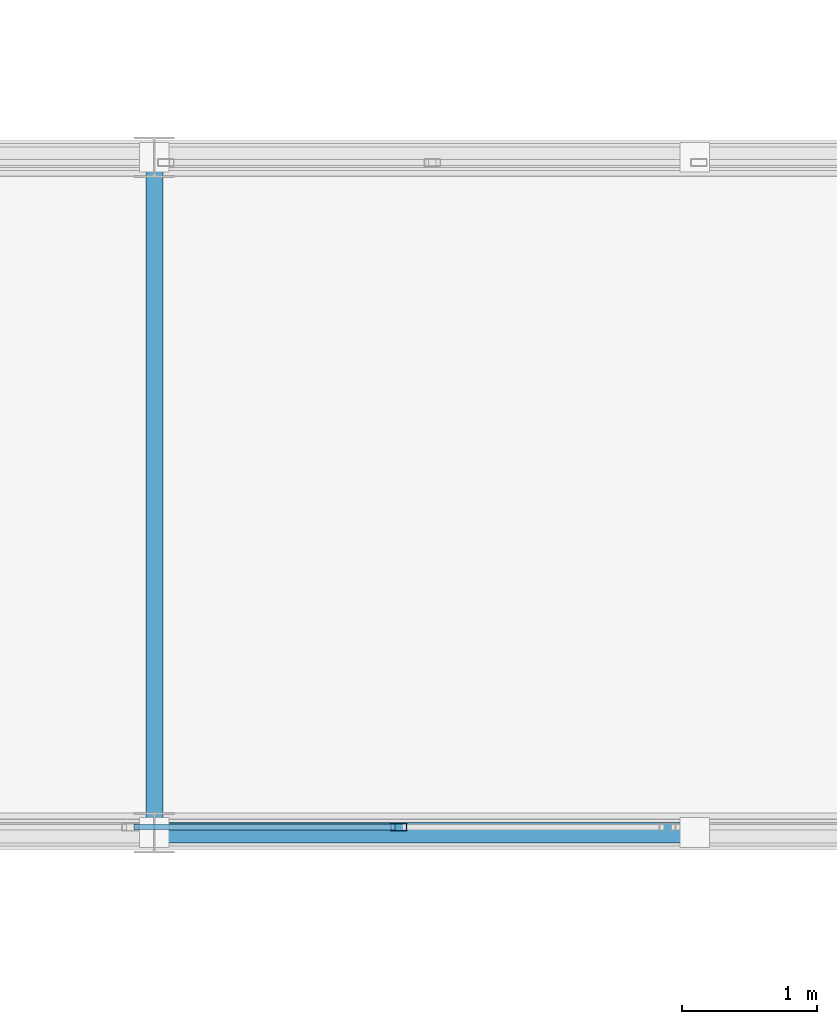
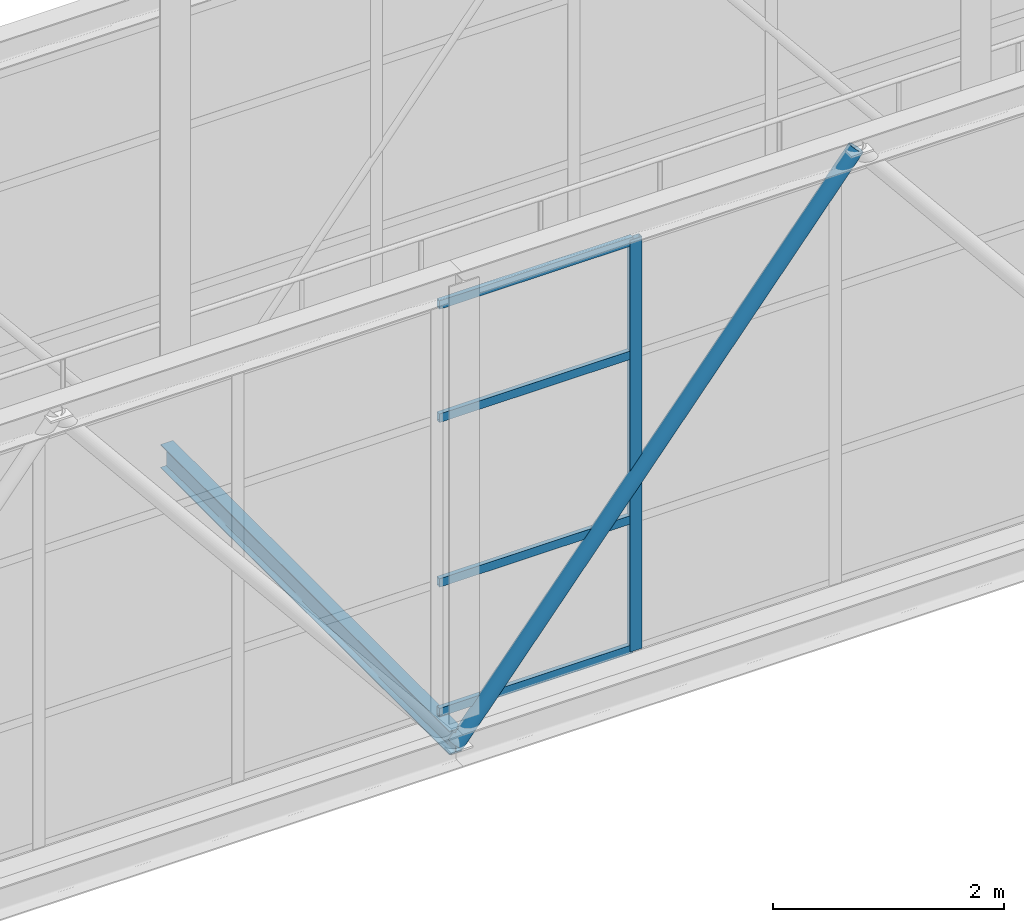
# One storey, part 156 of 248: 7 members, 1 element without a shape of its own.
"""IFC4 building model written with IfcOpenShell, lengths in metres."""

from ifc_helpers import new_model, si_unit, direction, frame, origin, origin_2d, place, context, subcontext, project, spatial, hollow_rectangle, hollow_circle, i_section, extrude, material, layer, layer_set, material_profile, profile_set, type_object, element, aggregate, save


model = new_model("IFC4")

# Units and contexts
model_context = context("Model", 3, precision=1e-05, world=origin(), true_north=direction((0.0, 1.0)))
body_context = subcontext(model_context, "Body", "Model", "MODEL_VIEW")
ifc_project = project(units=[si_unit("LENGTHUNIT", "METRE"), si_unit("AREAUNIT", "SQUARE_METRE"), si_unit("VOLUMEUNIT", "CUBIC_METRE"), si_unit("PLANEANGLEUNIT", "RADIAN"), si_unit("MASSUNIT", "GRAM", prefix="KILO")], contexts=[model_context])

# Site, building, storey
site_placement = place(None, origin())
site = spatial("IfcSite", under=ifc_project, at=site_placement, CompositionType="ELEMENT")
building_placement = place(site_placement, origin())
building = spatial("IfcBuilding", under=site, at=building_placement, Name="Canggui Botanical Conservatory", CompositionType="ELEMENT")
storey_placement = place(building_placement, frame((0.0, 0.0, 5.39990234375)))
storey = spatial("IfcBuildingStorey", under=building, at=storey_placement, Name="L02", CompositionType="ELEMENT", Elevation=5.39990234375)

# Curtain wall, members
ifc_material_1 = material(Name="Thermally Broken Aluminium", Category="aluminium")
ifc_layer = layer(ifc_material_1, 0.1201171875, Name="Thermally Broken Aluminium", Category="aluminium")
ifc_layer_set = layer_set([ifc_layer], Name="Thermally Broken Aluminium")
curtain_wall_type = type_object("IfcCurtainWallType", Name="CW-STICK-B", PredefinedType="USERDEFINED", material=ifc_layer_set)
curtain_wall_placement = place(storey_placement, origin())
curtain_wall = element("IfcCurtainWall", 1, at=curtain_wall_placement, inside=storey, type_object=curtain_wall_type, Name="Facade Curtain Wall CW-SB-04-1", ObjectType="STICK GLAZED WALL", PredefinedType="USERDEFINED")
ifc_material_profile_1 = material_profile(ifc_material_1, hollow_rectangle(XDim=0.054931640625, YDim=0.1201171875, WallThickness=0.0029296875, at=origin_2d()), Name="CWM 55x120x3")
ifc_profile_set_1 = profile_set([ifc_material_profile_1], Name="Thermally Broken Aluminium")
member_type_1 = type_object("IfcMemberType", Name="CWM-05", PredefinedType="MULLION", material=ifc_profile_set_1)
member_1_placement = place(storey_placement, frame((99.3095703125, 75.0400390625, 0.0), z_axis=(0.0, 0.0, 1.0), x_axis=(0.0, 1.0, 0.0)))
member_1 = element("IfcMember", 2, at=member_1_placement, type_object=member_type_1, Name="CW-05 mullion 17", PredefinedType="MULLION", context=body_context, shape_type="SweptSolid", body=[
    extrude(hollow_rectangle(XDim=0.054931640625, YDim=0.1201171875, WallThickness=0.0029296875, at=origin_2d()), origin(), (0.0, 0.0, 1.0), 4.35009765625),
])
ifc_material_profile_2 = material_profile(ifc_material_1, hollow_rectangle(XDim=0.044921875, YDim=0.090087890625, WallThickness=0.0029296875, at=origin_2d()), Name="CWT 45x90x3")
ifc_profile_set_2 = profile_set([ifc_material_profile_2], Name="Thermally Broken Aluminium")
member_type_2 = type_object("IfcMemberType", Name="CWT-05", PredefinedType="USERDEFINED", material=ifc_profile_set_2)
member_2_placement = place(storey_placement, frame((97.347900390625, 75.0400390625, 0.022705078125), z_axis=(1.0, 0.0, 0.0), x_axis=(0.0, 1.0, 0.0)))
member_2 = element("IfcMember", 3, at=member_2_placement, type_object=member_type_2, Name="CW-05 transom 16.1", ObjectType="TRANSOM", PredefinedType="USERDEFINED", context=body_context, shape_type="SweptSolid", body=[
    extrude(hollow_rectangle(XDim=0.044921875, YDim=0.090087890625, WallThickness=0.0029296875, at=origin_2d()), origin(), (0.0, 0.0, 1.0), 1.934326171875),
])
member_3_placement = place(storey_placement, frame((97.347900390625, 75.0400390625, 1.39208984375), z_axis=(1.0, 0.0, 0.0), x_axis=(0.0, 1.0, 0.0)))
member_3 = element("IfcMember", 4, at=member_3_placement, type_object=member_type_2, Name="CW-05 transom 16.2", ObjectType="TRANSOM", PredefinedType="USERDEFINED", context=body_context, shape_type="SweptSolid", body=[
    extrude(hollow_rectangle(XDim=0.044921875, YDim=0.090087890625, WallThickness=0.0029296875, at=origin_2d()), origin(), (0.0, 0.0, 1.0), 1.934326171875),
])
member_4_placement = place(storey_placement, frame((97.347900390625, 75.0400390625, 3.132080078125), z_axis=(1.0, 0.0, 0.0), x_axis=(0.0, 1.0, 0.0)))
member_4 = element("IfcMember", 5, at=member_4_placement, type_object=member_type_2, Name="CW-05 transom 16.3", ObjectType="TRANSOM", PredefinedType="USERDEFINED", context=body_context, shape_type="SweptSolid", body=[
    extrude(hollow_rectangle(XDim=0.044921875, YDim=0.090087890625, WallThickness=0.0029296875, at=origin_2d()), origin(), (0.0, 0.0, 1.0), 1.934326171875),
])
member_5_placement = place(storey_placement, frame((97.347900390625, 75.0400390625, 4.32763671875), z_axis=(1.0, 0.0, 0.0), x_axis=(0.0, 1.0, 0.0)))
member_5 = element("IfcMember", 6, at=member_5_placement, type_object=member_type_2, Name="CW-05 transom 16.4", ObjectType="TRANSOM", PredefinedType="USERDEFINED", context=body_context, shape_type="SweptSolid", body=[
    extrude(hollow_rectangle(XDim=0.044921875, YDim=0.090087890625, WallThickness=0.0029296875, at=origin_2d()), origin(), (0.0, 0.0, 1.0), 1.934326171875),
])
aggregate(curtain_wall, [member_1, member_2, member_3, member_4, member_5])

# Members
ifc_material_2 = material(Name="Steel Q355C", Category="steel")
ifc_material_profile_3 = material_profile(ifc_material_2, hollow_circle(Radius=0.075927734375, WallThickness=0.006103515625, at=origin_2d()), Name="CHS 152x6")
ifc_profile_set_3 = profile_set([ifc_material_profile_3], Name="Steel Q355C")
member_type_3 = type_object("IfcMemberType", Name="MEM-GSD04", PredefinedType="RAFTER", material=ifc_profile_set_3)
member_6_placement = place(storey_placement, frame((97.5, 75.0, -0.349853515625), z_axis=(0.632384053133, 0.0, 0.774655026024), x_axis=(0.0, 1.0, 0.0)))
element("IfcMember", 7, at=member_6_placement, inside=storey, type_object=member_type_3, Name="SB-04 Truss Web Rafter 1.6A", PredefinedType="RAFTER", context=body_context, shape_type="SweptSolid", body=[
    extrude(hollow_circle(Radius=0.075927734375, WallThickness=0.006103515625, at=origin_2d()), origin(), (0.0, 0.0, 1.0), 6.3251953125),
])
ifc_material_3 = material(Name="Steel Q355B", Category="steel")
ifc_material_profile_4 = material_profile(ifc_material_3, i_section(OverallWidth=0.125, OverallDepth=0.25, WebThickness=0.006103515625, FlangeThickness=0.009033203125, FilletRadius=0.011962890625, at=origin_2d()), Name="HN 250x125x6x9")
ifc_profile_set_4 = profile_set([ifc_material_profile_4], Name="Steel Q355B")
member_type_4 = type_object("IfcMemberType", Name="MEM-STR01", PredefinedType="STRINGER", material=ifc_profile_set_4)
member_7_placement = place(storey_placement, frame((97.5, 75.0, -0.31982421875), z_axis=(0.0, 1.0, 0.0), x_axis=(-1.0, 0.0, 0.0)))
element("IfcMember", 8, at=member_7_placement, inside=storey, type_object=member_type_4, Name="SB-04 Deck Transverse Stringer 4", PredefinedType="STRINGER", context=body_context, shape_type="SweptSolid", body=[
    extrude(i_section(OverallWidth=0.125, OverallDepth=0.25, WebThickness=0.006103515625, FlangeThickness=0.009033203125, FilletRadius=0.011962890625, at=origin_2d()), origin(), (0.0, 0.0, 1.0), 5.0),
])

save(model, "model.ifc")
